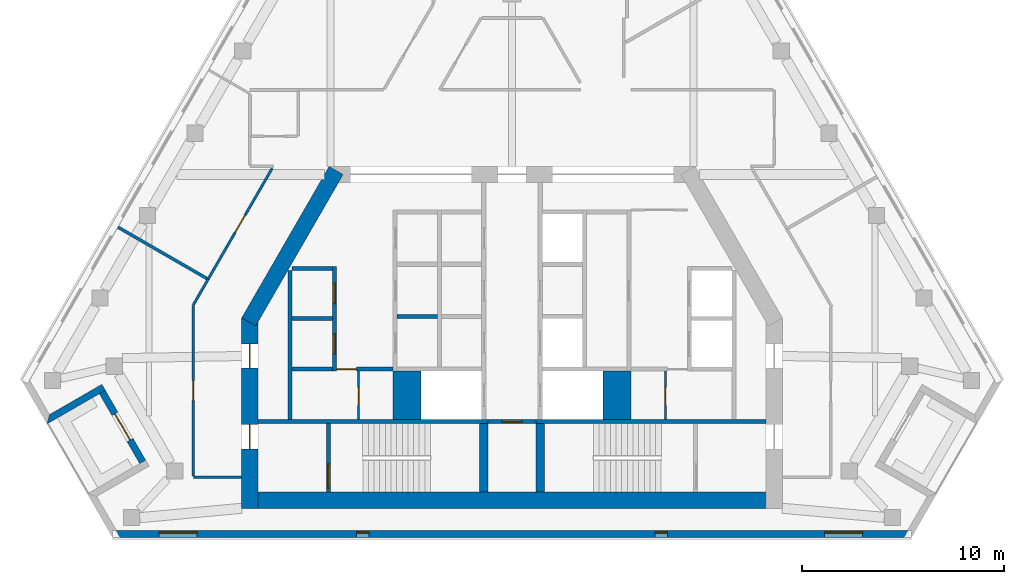
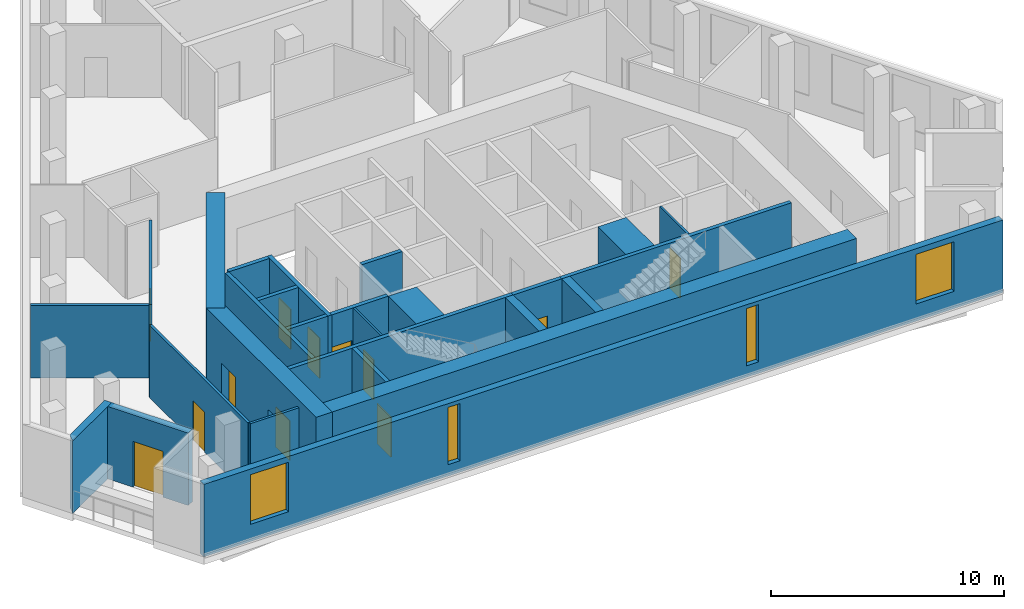
# One storey, part 2 of 8: 28 walls, 12 doors, 4 windows, 16 openings.
"""IFC4 building model written with IfcOpenShell, lengths in metres."""

from ifc_helpers import new_model, si_unit, direction, frame, frame_2d, origin, place, context, subcontext, project, spatial, polyline, rectangle, outline, extrude, material, layer, layer_set, type_object, element, fill, save


model = new_model("IFC4")

# Units and contexts
model_context = context("Model", 3, precision=1e-05, world=origin(), true_north=direction((0.0, 1.0)))
body_context = subcontext(model_context, "Body", "Model", "MODEL_VIEW")
ifc_project = project(units=[si_unit("LENGTHUNIT", "METRE"), si_unit("AREAUNIT", "SQUARE_METRE"), si_unit("VOLUMEUNIT", "CUBIC_METRE"), si_unit("PLANEANGLEUNIT", "RADIAN"), si_unit("MASSUNIT", "GRAM", prefix="KILO")], contexts=[model_context])

# Site, building, storey
site_placement = place(None, origin())
site = spatial("IfcSite", under=ifc_project, at=site_placement, CompositionType="ELEMENT")
building_placement = place(site_placement, origin())
building = spatial("IfcBuilding", under=site, at=building_placement, Name="Fogline Exchange Tower", CompositionType="ELEMENT")
storey_placement = place(building_placement, frame((0.0, 0.0, 330.89990234375)))
storey = spatial("IfcBuildingStorey", under=building, at=storey_placement, Name="L75", CompositionType="ELEMENT", Elevation=330.89990234375)

# Wall, opening, door
ifc_material_1 = material(Name="Blockwork partition", Category="masonry")
ifc_layer_1 = layer(ifc_material_1, 0.10009765625)
ifc_layer_set_1 = layer_set([ifc_layer_1], Name="CW10")
wall_type_1 = type_object("IfcWallType", Name="CW10", PredefinedType="PARTITIONING", material=ifc_layer_set_1)
wall_1_placement = place(storey_placement, frame((-7.60009765625, 5.85009765625, 0.0), z_axis=(0.0, 0.0, 1.0), x_axis=(0.0, 1.0, 0.0)))
wall_1 = element("IfcWall", 1, at=wall_1_placement, inside=storey, type_object=wall_type_1, Name="WC partition", PredefinedType="PARTITIONING", context=body_context, shape_type="SweptSolid", body=[
    extrude(rectangle(XDim=2.39990234375, YDim=0.10009765625, at=frame_2d((1.199951171875, 0.0))), origin(), (0.0, 0.0, 1.0), 3.800048828125),
])
opening_1_placement = place(wall_1_placement, frame((0.699951171875, 0.0, 0.0)))
opening_1 = element("IfcOpeningElement", 2, at=opening_1_placement, cuts=wall_1, Name="Opening T23-C013", PredefinedType="OPENING", context=body_context, shape_type="SweptSolid", body=[
    extrude(rectangle(XDim=0.89990234375, YDim=2.10009765625, at=frame_2d((0.449951171875, 1.050048828125))), frame((0.0, 0.06005859375, 0.0), z_axis=(0.0, -1.0, 0.0), x_axis=(1.0, 0.0, 0.0)), (0.0, 0.0, 1.0), 0.1201171875),
])
ifc_material_2 = material(Name="Steel and timber fire door", Category="steel")
door_type_1 = type_object("IfcDoorType", Name="D-CS1", OperationType="SINGLE_SWING_RIGHT", PredefinedType="DOOR", material=ifc_material_2)
door_1_placement = place(opening_1_placement, frame((0.89990234375, 0.0, 0.0), z_axis=(0.0, 0.0, 1.0), x_axis=(-1.0, 0.0, 0.0)))
door_1 = element("IfcDoor", 3, at=door_1_placement, inside=storey, type_object=door_type_1, Name="Door to Cleaner's Store", OperationType="SINGLE_SWING_RIGHT", OverallHeight=2.10009765625, OverallWidth=0.89990234375, PredefinedType="DOOR", context=body_context, shape_type="SweptSolid", body=[
    extrude(rectangle(XDim=0.89990234375, YDim=2.10009765625, at=frame_2d((0.449951171875, 1.050048828125))), frame((0.0, 0.02490234375, 0.0), z_axis=(0.0, -1.0, 0.0), x_axis=(1.0, 0.0, 0.0)), (0.0, 0.0, 1.0), 0.050048828125),
])
fill(opening_1, door_1)

wall_2_placement = place(storey_placement, frame((7.60009765625, 5.85009765625, 0.0), z_axis=(0.0, 0.0, 1.0), x_axis=(0.0, 1.0, 0.0)))
wall_2 = element("IfcWall", 4, at=wall_2_placement, inside=storey, type_object=wall_type_1, Name="WC partition", PredefinedType="PARTITIONING", context=body_context, shape_type="SweptSolid", body=[
    extrude(rectangle(XDim=2.39990234375, YDim=0.10009765625, at=frame_2d((1.199951171875, 0.0))), origin(), (0.0, 0.0, 1.0), 3.800048828125),
])
opening_2_placement = place(wall_2_placement, frame((0.699951171875, 0.0, 0.0)))
opening_2 = element("IfcOpeningElement", 5, at=opening_2_placement, cuts=wall_2, Name="Opening T23-C019", PredefinedType="OPENING", context=body_context, shape_type="SweptSolid", body=[
    extrude(rectangle(XDim=0.89990234375, YDim=2.10009765625, at=frame_2d((0.449951171875, 1.050048828125))), frame((0.0, 0.06005859375, 0.0), z_axis=(0.0, -1.0, 0.0), x_axis=(1.0, 0.0, 0.0)), (0.0, 0.0, 1.0), 0.1201171875),
])
door_2_placement = place(opening_2_placement, origin())
door_2 = element("IfcDoor", 6, at=door_2_placement, inside=storey, type_object=door_type_1, Name="Door to Cleaner's Store", OperationType="SINGLE_SWING_LEFT", OverallHeight=2.10009765625, OverallWidth=0.89990234375, PredefinedType="DOOR", context=body_context, shape_type="SweptSolid", body=[
    extrude(rectangle(XDim=0.89990234375, YDim=2.10009765625, at=frame_2d((0.449951171875, 1.050048828125))), frame((0.0, 0.02490234375, 0.0), z_axis=(0.0, -1.0, 0.0), x_axis=(1.0, 0.0, 0.0)), (0.0, 0.0, 1.0), 0.050048828125),
])
fill(opening_2, door_2)

# Walls
ifc_material_3 = material(Name="Concrete C60", Category="concrete")
ifc_layer_2 = layer(ifc_material_3, 1.39990234375)
ifc_layer_set_2 = layer_set([ifc_layer_2], Name="CW140")
wall_type_2 = type_object("IfcWallType", Name="CW140", PredefinedType="SOLIDWALL", material=ifc_layer_set_2)
for number, where, z_axis, x_axis, name in (
    (7, (-5.199951171875, 5.85009765625, -0.39990234375), (0.0, 0.0, 1.0), (0.0, 1.0, 0.0), "Lift shaft block wall"),
    (8, (5.199951171875, 5.85009765625, -0.39990234375), (0.0, 0.0, 1.0), (0.0, 1.0, 0.0), "Lift shaft block wall"),
):
    element("IfcWall", number, at=place(storey_placement, frame(where, z_axis=z_axis, x_axis=x_axis)), inside=storey, type_object=wall_type_2, Name=name, PredefinedType="SOLIDWALL", context=body_context, shape_type="SweptSolid", body=[
        extrude(rectangle(XDim=2.39990234375, YDim=1.39990234375, at=frame_2d((1.199951171875, 0.0))), origin(), (0.0, 0.0, 1.0), 4.199951171875),
    ])
ifc_material_4 = material(Name="Concrete C40", Category="concrete")
ifc_layer_3 = layer(ifc_material_4, 0.199951171875)
ifc_layer_set_3 = layer_set([ifc_layer_3], Name="CW20")
wall_type_3 = type_object("IfcWallType", Name="CW20", PredefinedType="SOLIDWALL", material=ifc_layer_set_3)
wall_3_placement = place(storey_placement, frame((-11.0, 5.85009765625, 0.0), z_axis=(0.0, 0.0, 1.0), x_axis=(0.0, 1.0, 0.0)))
element("IfcWall", 9, at=wall_3_placement, inside=storey, type_object=wall_type_3, Name="Service room wall", PredefinedType="SOLIDWALL", context=body_context, shape_type="SweptSolid", body=[
    extrude(rectangle(XDim=7.39990234375, YDim=0.199951171875, at=frame_2d((3.699951171875, 0.0))), origin(), (0.0, 0.0, 1.0), 3.800048828125),
])
for number, where, z_axis, x_axis, name in (
    (10, (-10.89990234375, 10.85009765625, 0.0), (0.0, 0.0, 1.0), (1.0, 0.0, 0.0), "Service room wall"),
    (11, (-5.699951171875, 10.949951171875, 0.0), (0.0, 0.0, 1.0), (1.0, 0.0, 0.0), "Service room wall"),
):
    element("IfcWall", number, at=place(storey_placement, frame(where, z_axis=z_axis, x_axis=x_axis)), inside=storey, type_object=wall_type_3, Name=name, PredefinedType="SOLIDWALL", context=body_context, shape_type="SweptSolid", body=[
        extrude(rectangle(XDim=2.0, YDim=0.199951171875, at=frame_2d((1.0, 0.0))), origin(), (0.0, 0.0, 1.0), 3.800048828125),
    ])

# Wall, opening, door
wall_4_placement = place(storey_placement, frame((-8.699951171875, 8.35009765625, 0.0), z_axis=(0.0, 0.0, 1.0), x_axis=(1.0, 0.0, 0.0)))
wall_4 = element("IfcWall", 12, at=wall_4_placement, inside=storey, type_object=wall_type_3, Name="WC wall", PredefinedType="SOLIDWALL", context=body_context, shape_type="SweptSolid", body=[
    extrude(rectangle(XDim=2.800048828125, YDim=0.199951171875, at=frame_2d((1.39990234375, 0.0))), origin(), (0.0, 0.0, 1.0), 3.800048828125),
])
opening_3_placement = place(wall_4_placement, origin())
opening_3 = element("IfcOpeningElement", 13, at=opening_3_placement, cuts=wall_4, Name="Opening T23-C012", PredefinedType="OPENING", context=body_context, shape_type="SweptSolid", body=[
    extrude(rectangle(XDim=1.0, YDim=2.10009765625, at=frame_2d((0.5, 1.050048828125))), frame((0.0, 0.10986328125, 0.0), z_axis=(0.0, -1.0, 0.0), x_axis=(1.0, 0.0, 0.0)), (0.0, 0.0, 1.0), 0.219970703125),
])
door_type_2 = type_object("IfcDoorType", Name="D-WC1", OperationType="SINGLE_SWING_LEFT", PredefinedType="DOOR", material=ifc_material_2)
door_3_placement = place(opening_3_placement, frame((1.0, 0.0, 0.0), z_axis=(0.0, 0.0, 1.0), x_axis=(-1.0, 0.0, 0.0)))
door_3 = element("IfcDoor", 14, at=door_3_placement, inside=storey, type_object=door_type_2, Name="Door to Men's WC", OperationType="SINGLE_SWING_LEFT", OverallHeight=2.10009765625, OverallWidth=1.0, PredefinedType="DOOR", context=body_context, shape_type="SweptSolid", body=[
    extrude(rectangle(XDim=1.0, YDim=2.10009765625, at=frame_2d((0.5, 1.050048828125))), frame((0.0, 0.02490234375, 0.0), z_axis=(0.0, -1.0, 0.0), x_axis=(1.0, 0.0, 0.0)), (0.0, 0.0, 1.0), 0.050048828125),
])
fill(opening_3, door_3)

# Wall
ifc_layer_4 = layer(ifc_material_4, 0.199951171875)
ifc_layer_set_4 = layer_set([ifc_layer_4], Name="CW20R")
wall_type_4 = type_object("IfcWallType", Name="CW20R", PredefinedType="SOLIDWALL", material=ifc_layer_set_4)
wall_5_placement = place(storey_placement, frame((-12.60009765625, 5.75, -0.39990234375), z_axis=(0.0, 0.0, 1.0), x_axis=(1.0, 0.0, 0.0)))
element("IfcWall", 15, at=wall_5_placement, inside=storey, type_object=wall_type_4, Name="Stair enclosure wall", PredefinedType="SOLIDWALL", context=body_context, shape_type="SweptSolid", body=[
    extrude(rectangle(XDim=11.400146484375, YDim=0.199951171875, at=frame_2d((5.7001953125, 0.0))), origin(), (0.0, 0.0, 1.0), 4.199951171875),
])

# Wall, opening, door
wall_6_placement = place(storey_placement, frame((-1.199951171875, 5.75, -0.39990234375), z_axis=(0.0, 0.0, 1.0), x_axis=(1.0, 0.0, 0.0)))
wall_6 = element("IfcWall", 16, at=wall_6_placement, inside=storey, type_object=wall_type_4, Name="Stair enclosure wall", PredefinedType="SOLIDWALL", context=body_context, shape_type="SweptSolid", body=[
    extrude(rectangle(XDim=2.39990234375, YDim=0.199951171875, at=frame_2d((1.199951171875, 0.0))), origin(), (0.0, 0.0, 1.0), 4.199951171875),
])
opening_4_placement = place(wall_6_placement, frame((0.699951171875, 0.0, 0.39990234375)))
opening_4 = element("IfcOpeningElement", 17, at=opening_4_placement, cuts=wall_6, Name="Opening T23-C011", PredefinedType="OPENING", context=body_context, shape_type="SweptSolid", body=[
    extrude(rectangle(XDim=1.0, YDim=2.10009765625, at=frame_2d((0.5, 1.050048828125))), frame((0.0, 0.10986328125, 0.0), z_axis=(0.0, -1.0, 0.0), x_axis=(1.0, 0.0, 0.0)), (0.0, 0.0, 1.0), 0.219970703125),
])
door_type_3 = type_object("IfcDoorType", Name="D-RM1", OperationType="SINGLE_SWING_LEFT", PredefinedType="DOOR", material=ifc_material_2)
door_4_placement = place(opening_4_placement, frame((1.0, 0.0, 0.0), z_axis=(0.0, 0.0, 1.0), x_axis=(-1.0, 0.0, 0.0)))
door_4 = element("IfcDoor", 18, at=door_4_placement, inside=storey, type_object=door_type_3, Name="Door to Library Store", OperationType="SINGLE_SWING_RIGHT", OverallHeight=2.10009765625, OverallWidth=1.0, PredefinedType="DOOR", context=body_context, shape_type="SweptSolid", body=[
    extrude(rectangle(XDim=1.0, YDim=2.10009765625, at=frame_2d((0.5, 1.050048828125))), frame((0.0, 0.02490234375, 0.0), z_axis=(0.0, -1.0, 0.0), x_axis=(1.0, 0.0, 0.0)), (0.0, 0.0, 1.0), 0.050048828125),
])
fill(opening_4, door_4)

# Wall
wall_7_placement = place(storey_placement, frame((1.199951171875, 5.75, -0.39990234375), z_axis=(0.0, 0.0, 1.0), x_axis=(1.0, 0.0, 0.0)))
element("IfcWall", 19, at=wall_7_placement, inside=storey, type_object=wall_type_4, Name="Stair enclosure wall", PredefinedType="SOLIDWALL", context=body_context, shape_type="SweptSolid", body=[
    extrude(rectangle(XDim=11.400146484375, YDim=0.199951171875, at=frame_2d((5.7001953125, 0.0))), origin(), (0.0, 0.0, 1.0), 4.199951171875),
])

# Wall, opening, door
wall_8_placement = place(storey_placement, frame((-9.10009765625, 2.25, -0.39990234375), z_axis=(0.0, 0.0, 1.0), x_axis=(0.0, 1.0, 0.0)))
wall_8 = element("IfcWall", 20, at=wall_8_placement, inside=storey, type_object=wall_type_4, Name="Stair enclosure wall", PredefinedType="SOLIDWALL", context=body_context, shape_type="SweptSolid", body=[
    extrude(rectangle(XDim=3.39990234375, YDim=0.199951171875, at=frame_2d((1.699951171875, 0.0))), origin(), (0.0, 0.0, 1.0), 4.199951171875),
])
opening_5_placement = place(wall_8_placement, frame((0.199951171875, 0.0, 0.39990234375)))
opening_5 = element("IfcOpeningElement", 21, at=opening_5_placement, cuts=wall_8, Name="Opening T23-C015", PredefinedType="OPENING", context=body_context, shape_type="SweptSolid", body=[
    extrude(rectangle(XDim=1.199951171875, YDim=2.10009765625, at=frame_2d((0.60009765625, 1.050048828125))), frame((0.0, 0.10986328125, 0.0), z_axis=(0.0, -1.0, 0.0), x_axis=(1.0, 0.0, 0.0)), (0.0, 0.0, 1.0), 0.219970703125),
])
door_type_4 = type_object("IfcDoorType", Name="D-ST1", OperationType="SINGLE_SWING_LEFT", PredefinedType="DOOR", material=ifc_material_2)
door_5_placement = place(opening_5_placement, frame((1.199951171875, 0.0, 0.0), z_axis=(0.0, 0.0, 1.0), x_axis=(-1.0, 0.0, 0.0)))
door_5 = element("IfcDoor", 22, at=door_5_placement, inside=storey, type_object=door_type_4, Name="Stair door ST1", OperationType="SINGLE_SWING_RIGHT", OverallHeight=2.10009765625, OverallWidth=1.199951171875, PredefinedType="DOOR", context=body_context, shape_type="SweptSolid", body=[
    extrude(rectangle(XDim=1.199951171875, YDim=2.10009765625, at=frame_2d((0.60009765625, 1.050048828125))), frame((0.0, 0.02490234375, 0.0), z_axis=(0.0, -1.0, 0.0), x_axis=(1.0, 0.0, 0.0)), (0.0, 0.0, 1.0), 0.050048828125),
])
fill(opening_5, door_5)

# Wall, openings, doors
ifc_layer_5 = layer(ifc_material_4, 0.199951171875)
ifc_layer_set_5 = layer_set([ifc_layer_5], Name="CW20S")
wall_type_5 = type_object("IfcWallType", Name="CW20S", PredefinedType="SOLIDWALL", material=ifc_layer_set_5)
wall_9_placement = place(storey_placement, frame((-8.800048828125, 8.25, -0.39990234375), z_axis=(0.0, 0.0, 1.0), x_axis=(0.0, 1.0, 0.0)))
wall_9 = element("IfcWall", 23, at=wall_9_placement, inside=storey, type_object=wall_type_5, Name="Lift shaft wall", PredefinedType="SOLIDWALL", context=body_context, shape_type="SweptSolid", body=[
    extrude(rectangle(XDim=5.199951171875, YDim=0.199951171875, at=frame_2d((2.60009765625, 0.0))), origin(), (0.0, 0.0, 1.0), 4.199951171875),
])
opening_6_placement = place(wall_9_placement, frame((0.85009765625, 0.0, 0.39990234375)))
opening_6 = element("IfcOpeningElement", 24, at=opening_6_placement, cuts=wall_9, Name="Opening T23-C001", PredefinedType="OPENING", context=body_context, shape_type="SweptSolid", body=[
    extrude(rectangle(XDim=1.0, YDim=2.10009765625, at=frame_2d((0.5, 1.050048828125))), frame((0.0, 0.10986328125, 0.0), z_axis=(0.0, -1.0, 0.0), x_axis=(1.0, 0.0, 0.0)), (0.0, 0.0, 1.0), 0.219970703125),
])
opening_7_placement = place(wall_9_placement, frame((3.35009765625, 0.0, 0.39990234375)))
opening_7 = element("IfcOpeningElement", 25, at=opening_7_placement, cuts=wall_9, Name="Opening T23-C002", PredefinedType="OPENING", context=body_context, shape_type="SweptSolid", body=[
    extrude(rectangle(XDim=1.0, YDim=2.10009765625, at=frame_2d((0.5, 1.050048828125))), frame((0.0, 0.10986328125, 0.0), z_axis=(0.0, -1.0, 0.0), x_axis=(1.0, 0.0, 0.0)), (0.0, 0.0, 1.0), 0.219970703125),
])
door_6_placement = place(opening_6_placement, origin())
door_6 = element("IfcDoor", 26, at=door_6_placement, inside=storey, type_object=door_type_3, Name="Door to Riser Room", OperationType="SINGLE_SWING_RIGHT", OverallHeight=2.10009765625, OverallWidth=1.0, PredefinedType="DOOR", context=body_context, shape_type="SweptSolid", body=[
    extrude(rectangle(XDim=1.0, YDim=2.10009765625, at=frame_2d((0.5, 1.050048828125))), frame((0.0, 0.02490234375, 0.0), z_axis=(0.0, -1.0, 0.0), x_axis=(1.0, 0.0, 0.0)), (0.0, 0.0, 1.0), 0.050048828125),
])
fill(opening_6, door_6)
door_7_placement = place(opening_7_placement, origin())
door_7 = element("IfcDoor", 27, at=door_7_placement, inside=storey, type_object=door_type_3, Name="Door to Plant Room", OperationType="SINGLE_SWING_RIGHT", OverallHeight=2.10009765625, OverallWidth=1.0, PredefinedType="DOOR", context=body_context, shape_type="SweptSolid", body=[
    extrude(rectangle(XDim=1.0, YDim=2.10009765625, at=frame_2d((0.5, 1.050048828125))), frame((0.0, 0.02490234375, 0.0), z_axis=(0.0, -1.0, 0.0), x_axis=(1.0, 0.0, 0.0)), (0.0, 0.0, 1.0), 0.050048828125),
])
fill(opening_7, door_7)

# Walls
for number, where, z_axis, x_axis, name in (
    (28, (-10.89990234375, 8.35009765625, -0.39990234375), (0.0, 0.0, 1.0), (1.0, 0.0, 0.0), "Lift shaft wall"),
    (29, (-10.89990234375, 13.35009765625, -0.39990234375), (0.0, 0.0, 1.0), (1.0, 0.0, 0.0), "Lift shaft wall"),
):
    element("IfcWall", number, at=place(storey_placement, frame(where, z_axis=z_axis, x_axis=x_axis)), inside=storey, type_object=wall_type_5, Name=name, PredefinedType="SOLIDWALL", context=body_context, shape_type="SweptSolid", body=[
        extrude(rectangle(XDim=2.0, YDim=0.199951171875, at=frame_2d((1.0, 0.0))), origin(), (0.0, 0.0, 1.0), 4.199951171875),
    ])
ifc_layer_6 = layer(ifc_material_4, 0.39990234375)
ifc_layer_set_6 = layer_set([ifc_layer_6], Name="CW40R")
wall_type_6 = type_object("IfcWallType", Name="CW40R", PredefinedType="SOLIDWALL", material=ifc_layer_set_6)
for number, where, z_axis, x_axis, name in (
    (30, (-1.39990234375, 2.25, -0.39990234375), (0.0, 0.0, 1.0), (0.0, 1.0, 0.0), "Stair and lift shaft wall"),
    (31, (1.39990234375, 2.25, -0.39990234375), (0.0, 0.0, 1.0), (0.0, 1.0, 0.0), "Stair and lift shaft wall"),
):
    element("IfcWall", number, at=place(storey_placement, frame(where, z_axis=z_axis, x_axis=x_axis)), inside=storey, type_object=wall_type_6, Name=name, PredefinedType="SOLIDWALL", context=body_context, shape_type="SweptSolid", body=[
        extrude(rectangle(XDim=3.39990234375, YDim=0.39990234375, at=frame_2d((1.699951171875, 0.0))), origin(), (0.0, 0.0, 1.0), 4.199951171875),
    ])
ifc_material_5 = material(Name="Brick masonry", Category="masonry")
ifc_layer_7 = layer(ifc_material_5, 0.340087890625)
ifc_layer_set_7 = layer_set([ifc_layer_7], Name="FW1")
wall_type_7 = type_object("IfcWallType", Name="FW1", PredefinedType="SOLIDWALL", material=ifc_layer_set_7)
wall_10_placement = place(storey_placement, origin())
element("IfcWall", 32, at=wall_10_placement, inside=storey, type_object=wall_type_7, Name="Brick wall L75 SW-s1", PredefinedType="SOLIDWALL", context=body_context, shape_type="SweptSolid", body=[
    extrude(outline(polyline([(-20.334716796875, 7.594482421875), (-20.1640625, 7.298828125), (-20.458984375, 7.128662109375), (-23.05810546875, 5.628173828125), (-23.058349609375, 5.62841796875), (-22.933349609375, 6.093994140625), (-20.334716796875, 7.594482421875)])), origin(), (0.0, 0.0, 1.0), 3.800048828125),
])

# Wall, opening, door
wall_11_placement = place(storey_placement, frame((-20.31201171875, 7.214111328125, 0.0), z_axis=(0.0, 0.0, 1.0), x_axis=(0.49999894854, -0.866026010844, 0.0)))
wall_11 = element("IfcWall", 33, at=wall_11_placement, inside=storey, type_object=wall_type_7, Name="Brick wall L75 SW-bk", PredefinedType="SOLIDWALL", context=body_context, shape_type="SweptSolid", body=[
    extrude(rectangle(XDim=4.0, YDim=0.340087890625, at=frame_2d((2.0, 0.0))), origin(), (0.0, 0.0, 1.0), 3.800048828125),
])
opening_8_placement = place(wall_11_placement, frame((1.25, 0.0, 0.0)))
opening_8 = element("IfcOpeningElement", 34, at=opening_8_placement, cuts=wall_11, Name="Opening T23-E021", PredefinedType="OPENING", context=body_context, shape_type="SweptSolid", body=[
    extrude(rectangle(XDim=1.5, YDim=2.39990234375, at=frame_2d((0.75, 1.199951171875))), frame((0.0, 0.18017578125, 0.0), z_axis=(0.0, -1.0, 0.0), x_axis=(1.0, 0.0, 0.0)), (0.0, 0.0, 1.0), 0.360107421875),
])
ifc_material_6 = material(Name="Aluminium and glass", Category="aluminium")
door_type_5 = type_object("IfcDoorType", Name="ED4", OperationType="SINGLE_SWING_LEFT", PredefinedType="DOOR", material=ifc_material_6)
door_8_placement = place(opening_8_placement, frame((1.5, 0.0, 0.0), z_axis=(0.0, 0.0, 1.0), x_axis=(-1.0, 0.0, 0.0)))
door_8 = element("IfcDoor", 35, at=door_8_placement, inside=storey, type_object=door_type_5, Name="Balcony door L75 SW", OperationType="DOUBLE_DOOR_SINGLE_SWING", OverallHeight=2.39990234375, OverallWidth=1.5, PredefinedType="DOOR", context=body_context, shape_type="SweptSolid", body=[
    extrude(rectangle(XDim=1.5, YDim=2.39990234375, at=frame_2d((0.75, 1.199951171875))), frame((0.0, 0.02490234375, 0.0), z_axis=(0.0, -1.0, 0.0), x_axis=(1.0, 0.0, 0.0)), (0.0, 0.0, 1.0), 0.050048828125),
])
fill(opening_8, door_8)

# Wall, openings, windows
wall_12_placement = place(storey_placement, frame((-19.807373046875, 0.169921875, 0.0), z_axis=(0.0, 0.0, 1.0), x_axis=(1.0, 0.0, 0.0)))
wall_12 = element("IfcWall", 36, at=wall_12_placement, inside=storey, type_object=wall_type_7, Name="Brick wall L75 S", PredefinedType="SOLIDWALL", context=body_context, shape_type="SweptSolid", body=[
    extrude(rectangle(XDim=39.61474609375, YDim=0.340087890625, at=frame_2d((19.807373046875, 0.0))), origin(), (0.0, 0.0, 1.0), 3.800048828125),
])
opening_9_placement = place(wall_12_placement, frame((2.307373046875, 0.0, 0.89990234375)))
opening_9 = element("IfcOpeningElement", 37, at=opening_9_placement, cuts=wall_12, Name="Opening W3", PredefinedType="OPENING", context=body_context, shape_type="SweptSolid", body=[
    extrude(rectangle(XDim=1.885009765625, YDim=2.60009765625, at=frame_2d((0.9423828125, 1.300048828125))), frame((0.0, 0.18017578125, 0.0), z_axis=(0.0, -1.0, 0.0), x_axis=(1.0, 0.0, 0.0)), (0.0, 0.0, 1.0), 0.360107421875),
])
opening_10_placement = place(wall_12_placement, frame((35.307373046875, 0.0, 0.89990234375)))
opening_10 = element("IfcOpeningElement", 38, at=opening_10_placement, cuts=wall_12, Name="Opening W3", PredefinedType="OPENING", context=body_context, shape_type="SweptSolid", body=[
    extrude(rectangle(XDim=1.885009765625, YDim=2.60009765625, at=frame_2d((0.9423828125, 1.300048828125))), frame((0.0, 0.18017578125, 0.0), z_axis=(0.0, -1.0, 0.0), x_axis=(1.0, 0.0, 0.0)), (0.0, 0.0, 1.0), 0.360107421875),
])
opening_11_placement = place(wall_12_placement, frame((12.107421875, 0.0, 0.60009765625)))
opening_11 = element("IfcOpeningElement", 39, at=opening_11_placement, cuts=wall_12, Name="Opening W5", PredefinedType="OPENING", context=body_context, shape_type="SweptSolid", body=[
    extrude(rectangle(XDim=0.60009765625, YDim=3.0, at=frame_2d((0.300048828125, 1.5))), frame((0.0, 0.18017578125, 0.0), z_axis=(0.0, -1.0, 0.0), x_axis=(1.0, 0.0, 0.0)), (0.0, 0.0, 1.0), 0.360107421875),
])
opening_12_placement = place(wall_12_placement, frame((26.907470703125, 0.0, 0.60009765625)))
opening_12 = element("IfcOpeningElement", 40, at=opening_12_placement, cuts=wall_12, Name="Opening W5", PredefinedType="OPENING", context=body_context, shape_type="SweptSolid", body=[
    extrude(rectangle(XDim=0.60009765625, YDim=3.0, at=frame_2d((0.300048828125, 1.5))), frame((0.0, 0.18017578125, 0.0), z_axis=(0.0, -1.0, 0.0), x_axis=(1.0, 0.0, 0.0)), (0.0, 0.0, 1.0), 0.360107421875),
])
window_type_1 = type_object("IfcWindowType", Name="W3", PartitioningType="SINGLE_PANEL", PredefinedType="WINDOW", material=ifc_material_6)
window_1_placement = place(opening_9_placement, origin())
window_1 = element("IfcWindow", 41, at=window_1_placement, inside=storey, type_object=window_type_1, Name="W3 W3", OverallHeight=2.60009765625, OverallWidth=1.885009765625, PartitioningType="SINGLE_PANEL", PredefinedType="WINDOW", context=body_context, shape_type="SweptSolid", body=[
    extrude(rectangle(XDim=1.885009765625, YDim=2.60009765625, at=frame_2d((0.9423828125, 1.300048828125))), frame((0.0, 0.110107421875, 0.0), z_axis=(0.0, -1.0, 0.0), x_axis=(1.0, 0.0, 0.0)), (0.0, 0.0, 1.0), 0.06005859375),
])
fill(opening_9, window_1)
window_2_placement = place(opening_10_placement, origin())
window_2 = element("IfcWindow", 42, at=window_2_placement, inside=storey, type_object=window_type_1, Name="W3 W3", OverallHeight=2.60009765625, OverallWidth=1.885009765625, PartitioningType="SINGLE_PANEL", PredefinedType="WINDOW", context=body_context, shape_type="SweptSolid", body=[
    extrude(rectangle(XDim=1.885009765625, YDim=2.60009765625, at=frame_2d((0.9423828125, 1.300048828125))), frame((0.0, 0.110107421875, 0.0), z_axis=(0.0, -1.0, 0.0), x_axis=(1.0, 0.0, 0.0)), (0.0, 0.0, 1.0), 0.06005859375),
])
fill(opening_10, window_2)
window_type_2 = type_object("IfcWindowType", Name="W5", PartitioningType="SINGLE_PANEL", PredefinedType="WINDOW", material=ifc_material_6)
window_3_placement = place(opening_11_placement, origin())
window_3 = element("IfcWindow", 43, at=window_3_placement, inside=storey, type_object=window_type_2, Name="W5 W5", OverallHeight=3.0, OverallWidth=0.60009765625, PartitioningType="SINGLE_PANEL", PredefinedType="WINDOW", context=body_context, shape_type="SweptSolid", body=[
    extrude(rectangle(XDim=0.60009765625, YDim=3.0, at=frame_2d((0.300048828125, 1.5))), frame((0.0, 0.110107421875, 0.0), z_axis=(0.0, -1.0, 0.0), x_axis=(1.0, 0.0, 0.0)), (0.0, 0.0, 1.0), 0.06005859375),
])
fill(opening_11, window_3)
window_4_placement = place(opening_12_placement, origin())
window_4 = element("IfcWindow", 44, at=window_4_placement, inside=storey, type_object=window_type_2, Name="W5 W5", OverallHeight=3.0, OverallWidth=0.60009765625, PartitioningType="SINGLE_PANEL", PredefinedType="WINDOW", context=body_context, shape_type="SweptSolid", body=[
    extrude(rectangle(XDim=0.60009765625, YDim=3.0, at=frame_2d((0.300048828125, 1.5))), frame((0.0, 0.110107421875, 0.0), z_axis=(0.0, -1.0, 0.0), x_axis=(1.0, 0.0, 0.0)), (0.0, 0.0, 1.0), 0.06005859375),
])
fill(opening_12, window_4)

# Wall, opening, door
ifc_material_7 = material(Name="Plasterboard corridor partition with mineral wool, 2 layers each side")
ifc_layer_8 = layer(ifc_material_7, 0.125)
ifc_layer_set_8 = layer_set([ifc_layer_8], Name="PW2")
wall_type_8 = type_object("IfcWallType", Name="PW2", PredefinedType="PARTITIONING", material=ifc_layer_set_8)
wall_13_placement = place(storey_placement, frame((-15.06591796875, 12.80615234375, 0.0), z_axis=(0.0, 0.0, 1.0), x_axis=(0.499972045304, 0.866041542834, 0.0)))
wall_13 = element("IfcWall", 45, at=wall_13_placement, inside=storey, type_object=wall_type_8, Name="wall-L75-W014", PredefinedType="PARTITIONING", context=body_context, shape_type="SweptSolid", body=[
    extrude(rectangle(XDim=6.350341796875, YDim=0.125, at=frame_2d((3.17529296875, 0.0))), origin(), (0.0, 0.0, 1.0), 3.800048828125),
])
opening_13_placement = place(wall_13_placement, frame((2.67529296875, 0.0, 0.0)))
opening_13 = element("IfcOpeningElement", 46, at=opening_13_placement, cuts=wall_13, Name="Opening T23-D004", PredefinedType="OPENING", context=body_context, shape_type="SweptSolid", body=[
    extrude(rectangle(XDim=1.0, YDim=2.10009765625, at=frame_2d((0.5, 1.050048828125))), frame((0.0, 0.072509765625, 0.0), z_axis=(0.0, -1.0, 0.0), x_axis=(1.0, 0.0, 0.0)), (0.0, 0.0, 1.0), 0.14501953125),
])
ifc_material_8 = material(Name="Fire-rated timber door leaf with steel frame", Category="steel")
door_type_6 = type_object("IfcDoorType", Name="D3", OperationType="SINGLE_SWING_LEFT", PredefinedType="DOOR", material=ifc_material_8)
door_9_placement = place(opening_13_placement, origin())
door_9 = element("IfcDoor", 47, at=door_9_placement, inside=storey, type_object=door_type_6, Name="door-L75-D004", OperationType="SINGLE_SWING_LEFT", OverallHeight=2.10009765625, OverallWidth=1.0, PredefinedType="DOOR", context=body_context, shape_type="SweptSolid", body=[
    extrude(rectangle(XDim=1.0, YDim=2.10009765625, at=frame_2d((0.5, 1.050048828125))), frame((0.0, 0.02490234375, 0.0), z_axis=(0.0, -1.0, 0.0), x_axis=(1.0, 0.0, 0.0)), (0.0, 0.0, 1.0), 0.050048828125),
])
fill(opening_13, door_9)

# Wall
wall_14_placement = place(storey_placement, frame((-13.39990234375, 3.0, 0.0), z_axis=(0.0, 0.0, 1.0), x_axis=(-1.0, 0.0, 0.0)))
element("IfcWall", 48, at=wall_14_placement, inside=storey, type_object=wall_type_8, Name="wall-L75-W015", PredefinedType="PARTITIONING", context=body_context, shape_type="SweptSolid", body=[
    extrude(rectangle(XDim=2.400146484375, YDim=0.125, at=frame_2d((1.2001953125, 0.0))), origin(), (0.0, 0.0, 1.0), 3.800048828125),
])

# Wall, opening, door
wall_15_placement = place(storey_placement, frame((-15.800048828125, 3.0625, 0.0), z_axis=(0.0, 0.0, 1.0), x_axis=(0.0, 1.0, 0.0)))
wall_15 = element("IfcWall", 49, at=wall_15_placement, inside=storey, type_object=wall_type_8, Name="wall-L75-W016", PredefinedType="PARTITIONING", context=body_context, shape_type="SweptSolid", body=[
    extrude(rectangle(XDim=8.44140625, YDim=0.125, at=frame_2d((4.220703125, 0.0))), origin(), (0.0, 0.0, 1.0), 3.800048828125),
])
opening_14_placement = place(wall_15_placement, frame((3.720703125, 0.0, 0.0)))
opening_14 = element("IfcOpeningElement", 50, at=opening_14_placement, cuts=wall_15, Name="Opening T23-D005", PredefinedType="OPENING", context=body_context, shape_type="SweptSolid", body=[
    extrude(rectangle(XDim=1.0, YDim=2.10009765625, at=frame_2d((0.5, 1.050048828125))), frame((0.0, 0.072509765625, 0.0), z_axis=(0.0, -1.0, 0.0), x_axis=(1.0, 0.0, 0.0)), (0.0, 0.0, 1.0), 0.14501953125),
])
door_10_placement = place(opening_14_placement, origin())
door_10 = element("IfcDoor", 51, at=door_10_placement, inside=storey, type_object=door_type_6, Name="door-L75-D005", OperationType="SINGLE_SWING_LEFT", OverallHeight=2.10009765625, OverallWidth=1.0, PredefinedType="DOOR", context=body_context, shape_type="SweptSolid", body=[
    extrude(rectangle(XDim=1.0, YDim=2.10009765625, at=frame_2d((0.5, 1.050048828125))), frame((0.0, 0.02490234375, 0.0), z_axis=(0.0, -1.0, 0.0), x_axis=(1.0, 0.0, 0.0)), (0.0, 0.0, 1.0), 0.050048828125),
])
fill(opening_14, door_10)

# Walls
wall_16_placement = place(storey_placement, frame((-15.800048828125, 11.534912109375, 0.0), z_axis=(0.0, 0.0, 1.0), x_axis=(0.500091943127, 0.865972313888, 0.0)))
element("IfcWall", 52, at=wall_16_placement, inside=storey, type_object=wall_type_8, Name="wall-L75-W017", PredefinedType="PARTITIONING", context=body_context, shape_type="SweptSolid", body=[
    extrude(rectangle(XDim=1.468017578125, YDim=0.125, at=frame_2d((0.73388671875, 0.0))), origin(), (0.0, 0.0, 1.0), 3.800048828125),
])
ifc_material_9 = material(Name="Plasterboard demising partition with mineral wool and acoustic board")
ifc_layer_9 = layer(ifc_material_9, 0.14990234375)
ifc_layer_set_9 = layer_set([ifc_layer_9], Name="PW3")
wall_type_9 = type_object("IfcWallType", Name="PW3", PredefinedType="PARTITIONING", material=ifc_layer_set_9)
wall_17_placement = place(storey_placement, frame((-15.1201171875, 12.83740234375, 0.0), z_axis=(0.0, 0.0, 1.0), x_axis=(-0.86600203994, 0.500040465182, 0.0)))
element("IfcWall", 53, at=wall_17_placement, inside=storey, type_object=wall_type_9, Name="wall-L75-W036", PredefinedType="PARTITIONING", context=body_context, shape_type="SweptSolid", body=[
    extrude(rectangle(XDim=5.0947265625, YDim=0.14990234375, at=frame_2d((2.54736328125, 0.0))), origin(), (0.0, 0.0, 1.0), 3.800048828125),
])
ifc_material_10 = material(Name="Concrete C50", Category="concrete")
ifc_layer_10 = layer(ifc_material_10, 0.800048828125)
ifc_layer_set_10 = layer_set([ifc_layer_10], Name="SW04")
wall_type_10 = type_object("IfcWallType", Name="SW04", PredefinedType="SHEAR", material=ifc_layer_set_10)
wall_18_placement = place(storey_placement, frame((-13.39990234375, 1.85009765625, 0.0), z_axis=(0.0, 0.0, 1.0), x_axis=(1.0, 0.0, 0.0)))
element("IfcWall", 54, at=wall_18_placement, inside=storey, type_object=wall_type_10, Name="L75-W901", PredefinedType="SHEAR", context=body_context, shape_type="SweptSolid", body=[
    extrude(rectangle(XDim=26.7998046875, YDim=0.800048828125, at=frame_2d((13.39990234375, 0.0))), origin(), (0.0, 0.0, 1.0), 4.2001953125),
])
wall_19_placement = place(storey_placement, frame((-8.71875, 18.199951171875, 0.0), z_axis=(0.0, 0.0, 1.0), x_axis=(-0.500015780397, -0.866016292776, 0.0)))
element("IfcWall", 55, at=wall_19_placement, inside=storey, type_object=wall_type_10, Name="L75-W905", PredefinedType="SHEAR", context=body_context, shape_type="SweptSolid", body=[
    extrude(rectangle(XDim=8.669677734375, YDim=0.800048828125, at=frame_2d((4.3349609375, 0.0))), origin(), (0.0, 0.0, 1.0), 4.2001953125),
])

# Wall, openings, doors
wall_20_placement = place(storey_placement, frame((-13.0, 10.891845703125, 0.0), z_axis=(0.0, 0.0, 1.0), x_axis=(0.0, -1.0, 0.0)))
wall_20 = element("IfcWall", 56, at=wall_20_placement, inside=storey, type_object=wall_type_10, Name="L75-W906", PredefinedType="SHEAR", context=body_context, shape_type="SweptSolid", body=[
    extrude(rectangle(XDim=9.44189453125, YDim=0.800048828125, at=frame_2d((4.720947265625, 0.0))), origin(), (0.0, 0.0, 1.0), 4.2001953125),
])
opening_15_placement = place(wall_20_placement, frame((5.291748046875, 0.0, 0.0)))
opening_15 = element("IfcOpeningElement", 57, at=opening_15_placement, cuts=wall_20, Name="Opening T23-C014", PredefinedType="OPENING", context=body_context, shape_type="SweptSolid", body=[
    extrude(rectangle(XDim=1.199951171875, YDim=2.10009765625, at=frame_2d((0.60009765625, 1.050048828125))), frame((0.0, 0.41015625, 0.0), z_axis=(0.0, -1.0, 0.0), x_axis=(1.0, 0.0, 0.0)), (0.0, 0.0, 1.0), 0.820068359375),
])
opening_16_placement = place(wall_20_placement, frame((1.291748046875, 0.0, 0.0)))
opening_16 = element("IfcOpeningElement", 58, at=opening_16_placement, cuts=wall_20, Name="Opening T23-C016", PredefinedType="OPENING", context=body_context, shape_type="SweptSolid", body=[
    extrude(rectangle(XDim=1.199951171875, YDim=2.10009765625, at=frame_2d((0.60009765625, 1.050048828125))), frame((0.0, 0.41015625, 0.0), z_axis=(0.0, -1.0, 0.0), x_axis=(1.0, 0.0, 0.0)), (0.0, 0.0, 1.0), 0.820068359375),
])
door_type_7 = type_object("IfcDoorType", Name="D-FR1", OperationType="SINGLE_SWING_RIGHT", PredefinedType="DOOR", material=ifc_material_2)
door_11_placement = place(opening_15_placement, origin())
door_11 = element("IfcDoor", 59, at=door_11_placement, inside=storey, type_object=door_type_7, Name="Front room door ST1", OperationType="SINGLE_SWING_LEFT", OverallHeight=2.10009765625, OverallWidth=1.199951171875, PredefinedType="DOOR", context=body_context, shape_type="SweptSolid", body=[
    extrude(rectangle(XDim=1.199951171875, YDim=2.10009765625, at=frame_2d((0.60009765625, 1.050048828125))), frame((0.0, 0.02490234375, 0.0), z_axis=(0.0, -1.0, 0.0), x_axis=(1.0, 0.0, 0.0)), (0.0, 0.0, 1.0), 0.050048828125),
])
fill(opening_15, door_11)
door_type_8 = type_object("IfcDoorType", Name="D-SV1", OperationType="SINGLE_SWING_LEFT", PredefinedType="DOOR", material=ifc_material_2)
door_12_placement = place(opening_16_placement, origin())
door_12 = element("IfcDoor", 60, at=door_12_placement, inside=storey, type_object=door_type_8, Name="Service door W", OperationType="SINGLE_SWING_LEFT", OverallHeight=2.10009765625, OverallWidth=1.199951171875, PredefinedType="DOOR", context=body_context, shape_type="SweptSolid", body=[
    extrude(rectangle(XDim=1.199951171875, YDim=2.10009765625, at=frame_2d((0.60009765625, 1.050048828125))), frame((0.0, 0.02490234375, 0.0), z_axis=(0.0, -1.0, 0.0), x_axis=(1.0, 0.0, 0.0)), (0.0, 0.0, 1.0), 0.050048828125),
])
fill(opening_16, door_12)

save(model, "model.ifc")
